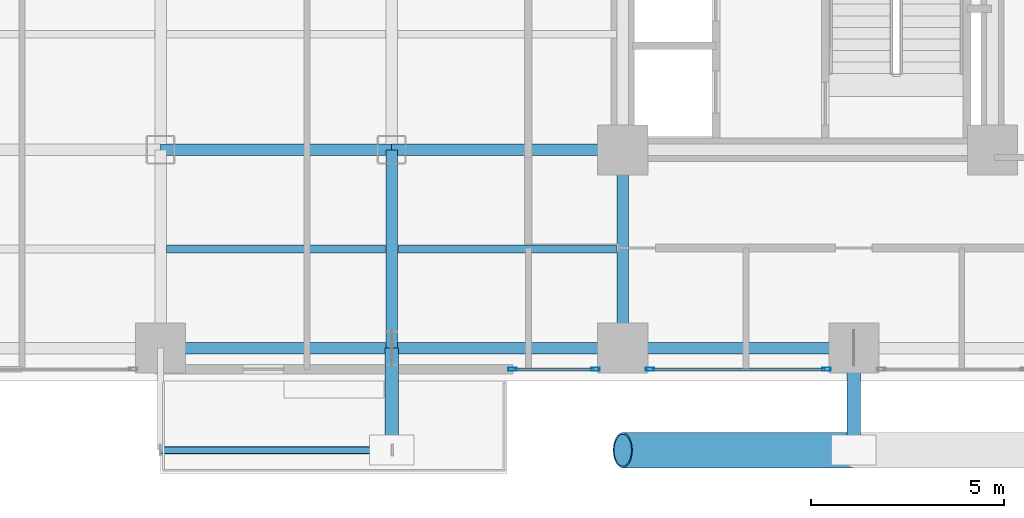
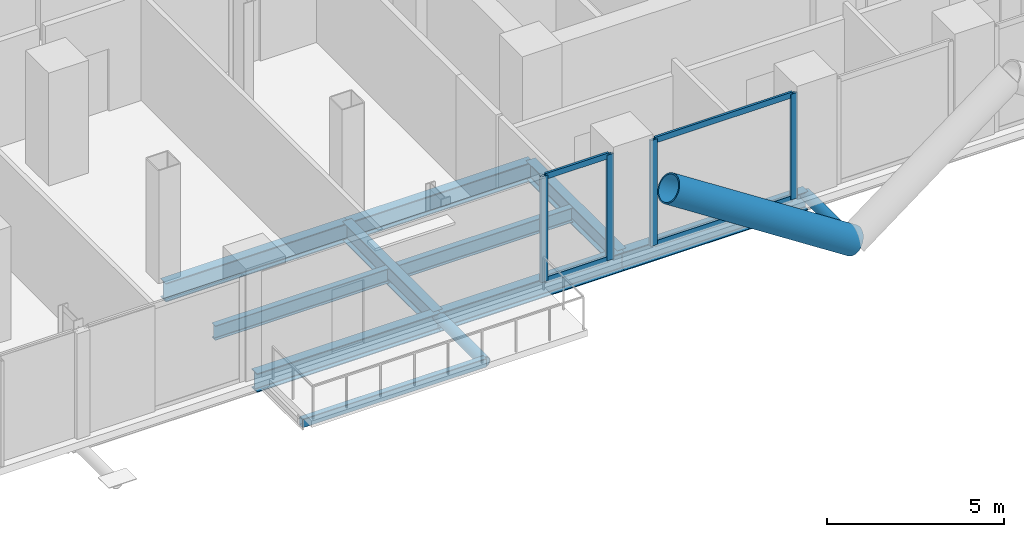
# One storey, part 3 of 25: 11 members, 10 beams, 2 elements without a shape of their own.
"""IFC4 building model written with IfcOpenShell, lengths in metres."""

from ifc_helpers import new_model, si_unit, direction, frame, origin, origin_2d, place, context, subcontext, project, spatial, hollow_rectangle, hollow_circle, i_section, extrude, material, layer, layer_set, material_profile, profile_set, type_object, element, aggregate, save


model = new_model("IFC4")

# Units and contexts
model_context = context("Model", 3, precision=1e-05, world=origin(), true_north=direction((0.0, 1.0)))
body_context = subcontext(model_context, "Body", "Model", "MODEL_VIEW")
ifc_project = project(units=[si_unit("LENGTHUNIT", "METRE"), si_unit("AREAUNIT", "SQUARE_METRE"), si_unit("VOLUMEUNIT", "CUBIC_METRE"), si_unit("PLANEANGLEUNIT", "RADIAN"), si_unit("MASSUNIT", "GRAM", prefix="KILO"), si_unit("THERMODYNAMICTEMPERATUREUNIT", "KELVIN"), si_unit("POWERUNIT", "WATT")], contexts=[model_context])

# Site, building, storey
site_placement = place(None, origin())
site = spatial("IfcSite", under=ifc_project, at=site_placement, CompositionType="ELEMENT")
building_placement = place(site_placement, origin())
building = spatial("IfcBuilding", under=site, at=building_placement, Name="Svarakhadi Broadcast Tower", CompositionType="ELEMENT")
storey_placement = place(building_placement, frame((0.0, 0.0, 63.60009765625)))
storey = spatial("IfcBuildingStorey", under=building, at=storey_placement, Name="L14", CompositionType="ELEMENT", Elevation=63.60009765625)

# Beams
ifc_material_1 = material(Name="Steel S355J2 (IS 2062 E350C)", Category="steel")
ifc_material_profile_1 = material_profile(ifc_material_1, i_section(OverallWidth=0.199951171875, OverallDepth=0.5, WebThickness=0.01025390625, FlangeThickness=0.01611328125, FilletRadius=0.02099609375, at=origin_2d()), Name="NPB 500x200x91")
ifc_profile_set_1 = profile_set([ifc_material_profile_1], Name="Steel S355J2 (IS 2062 E350C)")
beam_type_1 = type_object("IfcBeamType", Name="Beam_NPB500", PredefinedType="BEAM", material=ifc_profile_set_1)
for number, where, z_axis, x_axis, name in (
    (1, (12.159912109375, 3.425048828125, -0.5), (1.0, 0.0, 0.0), (0.0, 1.0, 0.0), "L14 Secondary Composite Beam SB013"),
    (2, (18.159912109375, 3.425048828125, -0.5), (1.0, 0.0, 0.0), (0.0, 1.0, 0.0), "L14 Secondary Composite Beam SB019"),
):
    element("IfcBeam", number, at=place(storey_placement, frame(where, z_axis=z_axis, x_axis=x_axis)), inside=storey, type_object=beam_type_1, Name=name, PredefinedType="BEAM", context=body_context, shape_type="SweptSolid", body=[
        extrude(i_section(OverallWidth=0.199951171875, OverallDepth=0.5, WebThickness=0.01025390625, FlangeThickness=0.01611328125, FilletRadius=0.02099609375, at=origin_2d()), origin(), (0.0, 0.0, 1.0), 5.68017578125),
    ])

# Curtain wall, members
ifc_material_2 = material(Name="Anodised Bronze Aluminium AA 6063-T6", Category="aluminium")
ifc_layer = layer(ifc_material_2, 0.219970703125)
ifc_layer_set = layer_set([ifc_layer], Name="Anodised Bronze Aluminium AA 6063-T6")
curtain_wall_type = type_object("IfcCurtainWallType", Name="CW_Sys_02", PredefinedType="NOTDEFINED", material=ifc_layer_set)
curtain_wall_1_placement = place(storey_placement, origin())
curtain_wall_1 = element("IfcCurtainWall", 3, at=curtain_wall_1_placement, inside=storey, type_object=curtain_wall_type, Name="L14 South Curtain Wall 16 Bay 5", PredefinedType="NOTDEFINED")
ifc_material_profile_2 = material_profile(ifc_material_2, hollow_rectangle(XDim=0.0849609375, YDim=0.219970703125, WallThickness=0.006103515625, at=origin_2d()), Name="ALU MULLION 220x85x6")
ifc_profile_set_2 = profile_set([ifc_material_profile_2], Name="Anodised Bronze Aluminium AA 6063-T6")
member_type_1 = type_object("IfcMemberType", Name="CW_Sys_02_Mul", PredefinedType="MULLION", material=ifc_profile_set_2)
member_1_placement = place(storey_placement, frame((29.28759765625, 0.300048828125, 0.0), z_axis=(0.0, 0.0, 1.0), x_axis=(0.0, -1.0, 0.0)))
member_1 = element("IfcMember", 4, at=member_1_placement, type_object=member_type_1, Name="CW-02 mullion 1", PredefinedType="MULLION", context=body_context, shape_type="SweptSolid", body=[
    extrude(hollow_rectangle(XDim=0.0849609375, YDim=0.219970703125, WallThickness=0.006103515625, at=origin_2d()), origin(), (0.0, 0.0, 1.0), 3.64990234375),
])
member_2_placement = place(storey_placement, frame((24.71240234375, 0.300048828125, 0.0), z_axis=(0.0, 0.0, 1.0), x_axis=(0.0, -1.0, 0.0)))
member_2 = element("IfcMember", 5, at=member_2_placement, type_object=member_type_1, Name="CW-02 mullion 2", PredefinedType="MULLION", context=body_context, shape_type="SweptSolid", body=[
    extrude(hollow_rectangle(XDim=0.0849609375, YDim=0.219970703125, WallThickness=0.006103515625, at=origin_2d()), origin(), (0.0, 0.0, 1.0), 3.64990234375),
])

curtain_wall_2_placement = place(storey_placement, origin())
curtain_wall_2 = element("IfcCurtainWall", 6, at=curtain_wall_2_placement, inside=storey, type_object=curtain_wall_type, Name="L14 South Curtain Wall 16 Bay 6", PredefinedType="NOTDEFINED")
member_3_placement = place(storey_placement, frame((23.28759765625, 0.300048828125, 0.0), z_axis=(0.0, 0.0, 1.0), x_axis=(0.0, -1.0, 0.0)))
member_3 = element("IfcMember", 7, at=member_3_placement, type_object=member_type_1, Name="CW-02 mullion 1", PredefinedType="MULLION", context=body_context, shape_type="SweptSolid", body=[
    extrude(hollow_rectangle(XDim=0.0849609375, YDim=0.219970703125, WallThickness=0.006103515625, at=origin_2d()), origin(), (0.0, 0.0, 1.0), 3.64990234375),
])
member_4_placement = place(storey_placement, frame((21.132568359375, 0.300048828125, 0.0), z_axis=(0.0, 0.0, 1.0), x_axis=(0.0, -1.0, 0.0)))
member_4 = element("IfcMember", 8, at=member_4_placement, type_object=member_type_1, Name="CW-02 mullion 2", PredefinedType="MULLION", context=body_context, shape_type="SweptSolid", body=[
    extrude(hollow_rectangle(XDim=0.0849609375, YDim=0.219970703125, WallThickness=0.006103515625, at=origin_2d()), origin(), (0.0, 0.0, 1.0), 3.64990234375),
])

# Member
ifc_material_profile_3 = material_profile(ifc_material_2, hollow_rectangle(XDim=0.074951171875, YDim=0.199951171875, WallThickness=0.0048828125, at=origin_2d()), Name="ALU TRANSOM 200x75x5")
ifc_profile_set_3 = profile_set([ifc_material_profile_3], Name="Anodised Bronze Aluminium AA 6063-T6")
member_type_2 = type_object("IfcMemberType", Name="CW_Sys_02_Trn", PredefinedType="USERDEFINED", material=ifc_profile_set_3)
member_5_placement = place(storey_placement, frame((29.2451171875, 0.300048828125, 0.037353515625), z_axis=(-1.0, 0.0, 0.0), x_axis=(0.0, -1.0, 0.0)))
member_5 = element("IfcMember", 9, at=member_5_placement, type_object=member_type_2, Name="CW-02 transom 1.1", ObjectType="TRANSOM", PredefinedType="USERDEFINED", context=body_context, shape_type="SweptSolid", body=[
    extrude(hollow_rectangle(XDim=0.074951171875, YDim=0.199951171875, WallThickness=0.0048828125, at=origin_2d()), origin(), (0.0, 0.0, 1.0), 4.490234375),
])

member_6_placement = place(storey_placement, frame((29.2451171875, 0.300048828125, 3.6123046875), z_axis=(-1.0, 0.0, 0.0), x_axis=(0.0, -1.0, 0.0)))
member_6 = element("IfcMember", 10, at=member_6_placement, type_object=member_type_2, Name="CW-02 transom 1.2", ObjectType="TRANSOM", PredefinedType="USERDEFINED", context=body_context, shape_type="SweptSolid", body=[
    extrude(hollow_rectangle(XDim=0.074951171875, YDim=0.199951171875, WallThickness=0.0048828125, at=origin_2d()), origin(), (0.0, 0.0, 1.0), 4.490234375),
])

aggregate(curtain_wall_1, [member_1, member_2, member_5, member_6])

member_7_placement = place(storey_placement, frame((23.2451171875, 0.300048828125, 0.037353515625), z_axis=(-1.0, 0.0, 0.0), x_axis=(0.0, -1.0, 0.0)))
member_7 = element("IfcMember", 11, at=member_7_placement, type_object=member_type_2, Name="CW-02 transom 1.1", ObjectType="TRANSOM", PredefinedType="USERDEFINED", context=body_context, shape_type="SweptSolid", body=[
    extrude(hollow_rectangle(XDim=0.074951171875, YDim=0.199951171875, WallThickness=0.0048828125, at=origin_2d()), origin(), (0.0, 0.0, 1.0), 2.070068359375),
])

member_8_placement = place(storey_placement, frame((23.2451171875, 0.300048828125, 3.6123046875), z_axis=(-1.0, 0.0, 0.0), x_axis=(0.0, -1.0, 0.0)))
member_8 = element("IfcMember", 12, at=member_8_placement, type_object=member_type_2, Name="CW-02 transom 1.2", ObjectType="TRANSOM", PredefinedType="USERDEFINED", context=body_context, shape_type="SweptSolid", body=[
    extrude(hollow_rectangle(XDim=0.074951171875, YDim=0.199951171875, WallThickness=0.0048828125, at=origin_2d()), origin(), (0.0, 0.0, 1.0), 2.070068359375),
])

aggregate(curtain_wall_2, [member_3, member_4, member_7, member_8])

# Members
ifc_material_3 = material(Name="Steel S460ML (IS 2062 E450BR)", Category="steel")
ifc_material_profile_4 = material_profile(ifc_material_3, hollow_circle(Radius=0.45703125, WallThickness=0.044921875, at=origin_2d()), Name="CHS 914x45")
ifc_profile_set_4 = profile_set([ifc_material_profile_4], Name="Steel S460ML (IS 2062 E450BR)")
member_type_3 = type_object("IfcMemberType", Name="Exo_Brace_CHS914", PredefinedType="BRACE", material=ifc_profile_set_4)
member_9_placement = place(storey_placement, frame((30.0, -1.800048828125, -0.427978515625), z_axis=(-0.838434262763, 0.0, 0.545002740383), x_axis=(0.0, -1.0, 0.0)))
element("IfcMember", 13, at=member_9_placement, inside=storey, type_object=member_type_3, Name="L14 Exposed Bronze Exoskeleton Diagonal S01", PredefinedType="BRACE", context=body_context, shape_type="SweptSolid", body=[
    extrude(hollow_circle(Radius=0.45703125, WallThickness=0.044921875, at=origin_2d()), origin(), (0.0, 0.0, 1.0), 7.15625),
])
ifc_material_profile_5 = material_profile(ifc_material_3, hollow_circle(Radius=0.177734375, WallThickness=0.02001953125, at=origin_2d()), Name="CHS 355.6x20")
ifc_profile_set_5 = profile_set([ifc_material_profile_5], Name="Steel S460ML (IS 2062 E450BR)")
member_type_4 = type_object("IfcMemberType", Name="Exo_Radial_Strut_Z1", PredefinedType="STRUT", material=ifc_profile_set_5)
for number, where, z_axis, x_axis, name in (
    (14, (18.0, -1.800048828125, -0.427978515625), (0.0, 1.0, 0.0), (-1.0, 0.0, 0.0), "L14 Exoskeleton Radial Tie Strut S02"),
    (15, (30.0, -1.800048828125, -0.427978515625), (0.0, 1.0, 0.0), (-1.0, 0.0, 0.0), "L14 Exoskeleton Radial Tie Strut S03"),
):
    element("IfcMember", number, at=place(storey_placement, frame(where, z_axis=z_axis, x_axis=x_axis)), inside=storey, type_object=member_type_4, Name=name, PredefinedType="STRUT", context=body_context, shape_type="SweptSolid", body=[
        extrude(hollow_circle(Radius=0.177734375, WallThickness=0.02001953125, at=origin_2d()), origin(), (0.0, 0.0, 1.0), 2.650146484375),
    ])

# Beams
ifc_material_profile_6 = material_profile(ifc_material_1, i_section(OverallWidth=0.300048828125, OverallDepth=0.64990234375, WebThickness=0.01611328125, FlangeThickness=0.031005859375, FilletRadius=0.027099609375, at=origin_2d()), Name="WPB 650x300x225")
ifc_profile_set_6 = profile_set([ifc_material_profile_6], Name="Steel S355J2 (IS 2062 E350C)")
beam_type_2 = type_object("IfcBeamType", Name="Girder_WPB650", PredefinedType="USERDEFINED", material=ifc_profile_set_6)
for number, where, z_axis, x_axis, name in (
    (16, (12.0, 0.85009765625, -0.5751953125), (1.0, 0.0, 0.0), (0.0, 1.0, 0.0), "L14 Primary E-W Girder G005"),
    (17, (18.0, 0.85009765625, -0.5751953125), (1.0, 0.0, 0.0), (0.0, 1.0, 0.0), "L14 Primary E-W Girder G006"),
    (18, (24.0, 0.85009765625, -0.5751953125), (1.0, 0.0, 0.0), (0.0, 1.0, 0.0), "L14 Primary E-W Girder G007"),
    (19, (12.0, 6.0, -0.5751953125), (1.0, 0.0, 0.0), (0.0, 1.0, 0.0), "L14 Primary E-W Girder G013"),
    (20, (18.0, 6.0, -0.5751953125), (1.0, 0.0, 0.0), (0.0, 1.0, 0.0), "L14 Primary E-W Girder G014"),
):
    element("IfcBeam", number, at=place(storey_placement, frame(where, z_axis=z_axis, x_axis=x_axis)), inside=storey, type_object=beam_type_2, Name=name, ObjectType="GIRDER", PredefinedType="USERDEFINED", context=body_context, shape_type="SweptSolid", body=[
        extrude(i_section(OverallWidth=0.300048828125, OverallDepth=0.64990234375, WebThickness=0.01611328125, FlangeThickness=0.031005859375, FilletRadius=0.027099609375, at=origin_2d()), origin(), (0.0, 0.0, 1.0), 6.0),
    ])
for number, where, z_axis, x_axis, name in (
    (21, (18.0, 0.85009765625, -0.5751953125), (0.0, 1.0, 0.0), (-1.0, 0.0, 0.0), "L14 Primary N-S Girder G064"),
    (22, (24.0, 0.85009765625, -0.5751953125), (0.0, 1.0, 0.0), (-1.0, 0.0, 0.0), "L14 Primary N-S Girder G071"),
):
    element("IfcBeam", number, at=place(storey_placement, frame(where, z_axis=z_axis, x_axis=x_axis)), inside=storey, type_object=beam_type_2, Name=name, ObjectType="GIRDER", PredefinedType="USERDEFINED", context=body_context, shape_type="SweptSolid", body=[
        extrude(i_section(OverallWidth=0.300048828125, OverallDepth=0.64990234375, WebThickness=0.01611328125, FlangeThickness=0.031005859375, FilletRadius=0.027099609375, at=origin_2d()), origin(), (0.0, 0.0, 1.0), 5.14990234375),
    ])
ifc_material_profile_7 = material_profile(ifc_material_3, hollow_rectangle(XDim=0.199951171875, YDim=0.300048828125, WallThickness=0.012451171875, InnerFilletRadius=0.012451171875, OuterFilletRadius=0.02490234375, at=origin_2d()), Name="RHS 300x200x12.5")
ifc_profile_set_7 = profile_set([ifc_material_profile_7], Name="Steel S460ML (IS 2062 E450BR)")
beam_type_3 = type_object("IfcBeamType", Name="Spandrel_RHS300", PredefinedType="SPANDREL", material=ifc_profile_set_7)
beam_placement = place(storey_placement, frame((12.0, -1.800048828125, -0.400146484375), z_axis=(1.0, 0.0, 0.0), x_axis=(0.0, 1.0, 0.0)))
element("IfcBeam", 23, at=beam_placement, inside=storey, type_object=beam_type_3, Name="L14 Balcony Outer Spandrel 1F", PredefinedType="SPANDREL", context=body_context, shape_type="SweptSolid", body=[
    extrude(hollow_rectangle(XDim=0.199951171875, YDim=0.300048828125, WallThickness=0.012451171875, InnerFilletRadius=0.012451171875, OuterFilletRadius=0.02490234375, at=origin_2d()), origin(), (0.0, 0.0, 1.0), 6.0),
])

save(model, "model.ifc")
